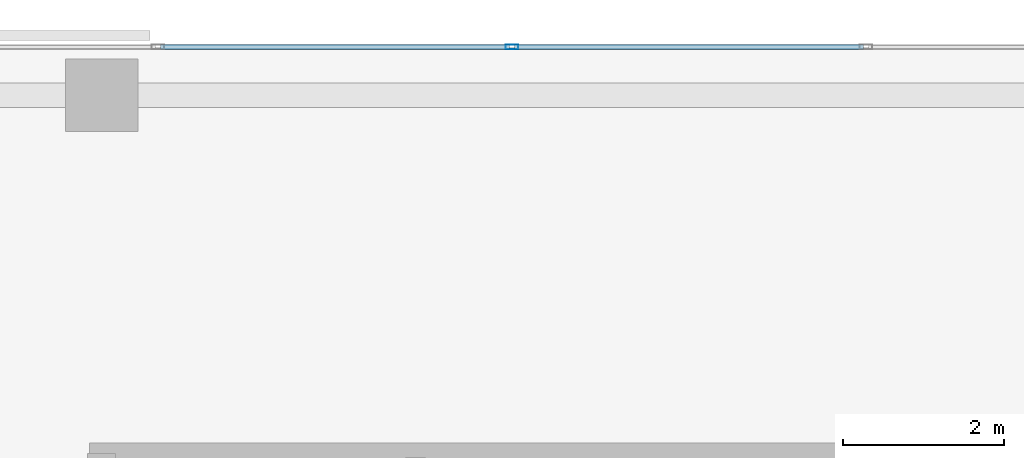
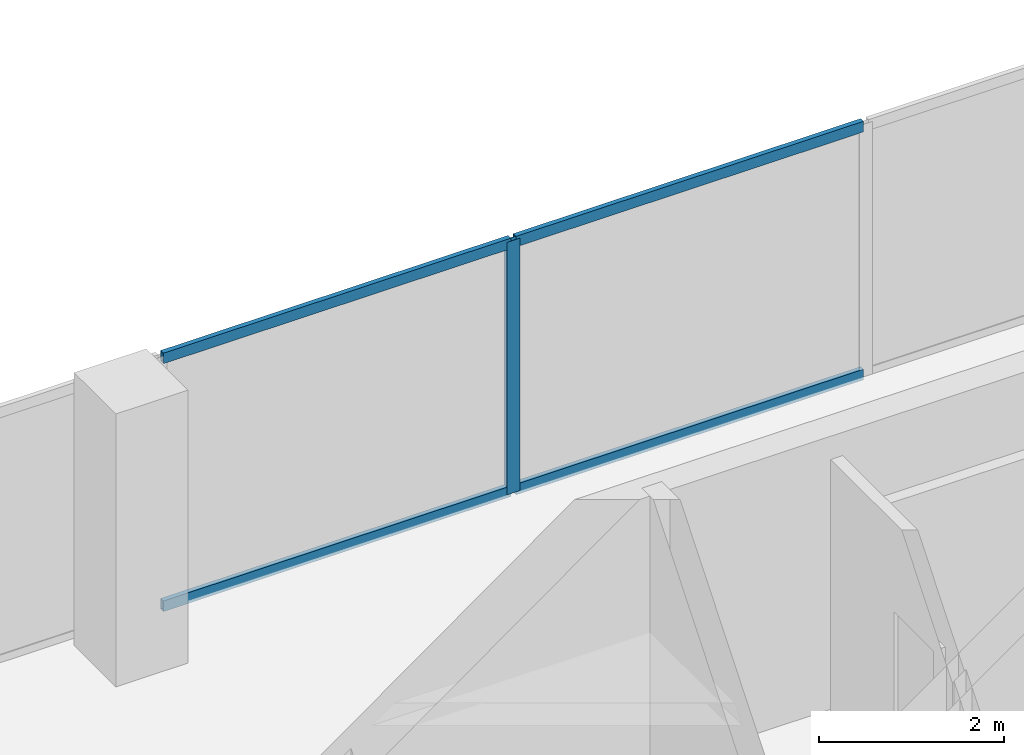
# One storey, part 20 of 33: 5 members, 1 element without a shape of its own.
"""IFC4 building model written with IfcOpenShell, lengths in metres."""

from ifc_helpers import new_model, si_unit, direction, frame, origin, origin_2d, place, context, subcontext, project, spatial, hollow_rectangle, extrude, material, layer, layer_set, material_profile, profile_set, type_object, element, aggregate, save


model = new_model("IFC4")

# Units and contexts
model_context = context("Model", 3, precision=1e-05, world=origin(), true_north=direction((0.0, 1.0)))
body_context = subcontext(model_context, "Body", "Model", "MODEL_VIEW")
ifc_project = project(units=[si_unit("LENGTHUNIT", "METRE"), si_unit("AREAUNIT", "SQUARE_METRE"), si_unit("VOLUMEUNIT", "CUBIC_METRE"), si_unit("PLANEANGLEUNIT", "RADIAN"), si_unit("MASSUNIT", "GRAM", prefix="KILO")], contexts=[model_context])

# Site, building, storey
site_placement = place(None, origin())
site = spatial("IfcSite", under=ifc_project, at=site_placement, CompositionType="ELEMENT")
building_placement = place(site_placement, origin())
building = spatial("IfcBuilding", under=site, at=building_placement, Name="Catumbela Crestline Tower", CompositionType="ELEMENT")
storey_placement = place(building_placement, frame((0.0, 0.0, 108.0)))
storey = spatial("IfcBuildingStorey", under=building, at=storey_placement, Name="L27", CompositionType="ELEMENT", Elevation=108.0)

# Curtain wall, members
ifc_material = material(Name="Aluminium alloy AW-6060-T66", Category="aluminium")
ifc_layer = layer(ifc_material, 0.18, Name="Aluminium alloy AW-6060-T66")
ifc_layer_set = layer_set([ifc_layer], Name="Aluminium alloy AW-6060-T66")
curtain_wall_type = type_object("IfcCurtainWallType", Name="CWU-Z2", PredefinedType="USERDEFINED", material=ifc_layer_set)
curtain_wall_placement = place(storey_placement, origin())
curtain_wall = element("IfcCurtainWall", 1, at=curtain_wall_placement, inside=storey, type_object=curtain_wall_type, Name="L27 Unitised Curtain Wall CW-L27-E7S1", ObjectType="UNITISED", PredefinedType="USERDEFINED")
ifc_material_profile_1 = material_profile(ifc_material, hollow_rectangle(XDim=0.06, YDim=0.16, WallThickness=0.004, at=origin_2d()), Name="ALU 160x60x4")
ifc_profile_set_1 = profile_set([ifc_material_profile_1], Name="Aluminium alloy AW-6060-T66")
member_type_1 = type_object("IfcMemberType", Name="MUL-160X60", PredefinedType="MULLION", material=ifc_profile_set_1)
member_1_placement = place(storey_placement, frame((21.1, 48.0, 0.0), z_axis=(0.0, 0.0, 1.0), x_axis=(0.0, -1.0, 0.0)))
member_1 = element("IfcMember", 2, at=member_1_placement, type_object=member_type_1, Name="CWU-Z2 mullion 7", PredefinedType="MULLION", context=body_context, shape_type="SweptSolid", body=[
    extrude(hollow_rectangle(XDim=0.06, YDim=0.16, WallThickness=0.004, at=origin_2d()), origin(), (0.0, 0.0, 1.0), 3.33),
])
ifc_material_profile_2 = material_profile(ifc_material, hollow_rectangle(XDim=0.06, YDim=0.14, WallThickness=0.004, at=origin_2d()), Name="ALU 140x60x4")
ifc_profile_set_2 = profile_set([ifc_material_profile_2], Name="Aluminium alloy AW-6060-T66")
member_type_2 = type_object("IfcMemberType", Name="TRN-140X60", PredefinedType="USERDEFINED", material=ifc_profile_set_2)
member_2_placement = place(storey_placement, frame((25.4675, 48.0, 0.03), z_axis=(-1.0, 0.0, 0.0), x_axis=(0.0, -1.0, 0.0)))
member_2 = element("IfcMember", 3, at=member_2_placement, type_object=member_type_2, Name="CWU-Z2 transom 6.1", ObjectType="TRANSOM", PredefinedType="USERDEFINED", context=body_context, shape_type="SweptSolid", body=[
    extrude(hollow_rectangle(XDim=0.06, YDim=0.14, WallThickness=0.004, at=origin_2d()), origin(), (0.0, 0.0, 1.0), 4.335),
])
member_3_placement = place(storey_placement, frame((25.4675, 48.0, 3.3), z_axis=(-1.0, 0.0, 0.0), x_axis=(0.0, -1.0, 0.0)))
member_3 = element("IfcMember", 4, at=member_3_placement, type_object=member_type_2, Name="CWU-Z2 transom 6.2", ObjectType="TRANSOM", PredefinedType="USERDEFINED", context=body_context, shape_type="SweptSolid", body=[
    extrude(hollow_rectangle(XDim=0.06, YDim=0.14, WallThickness=0.004, at=origin_2d()), origin(), (0.0, 0.0, 1.0), 4.335),
])
member_4_placement = place(storey_placement, frame((21.0675, 48.0, 0.03), z_axis=(-1.0, 0.0, 0.0), x_axis=(0.0, -1.0, 0.0)))
member_4 = element("IfcMember", 5, at=member_4_placement, type_object=member_type_2, Name="CWU-Z2 transom 7.1", ObjectType="TRANSOM", PredefinedType="USERDEFINED", context=body_context, shape_type="SweptSolid", body=[
    extrude(hollow_rectangle(XDim=0.06, YDim=0.14, WallThickness=0.004, at=origin_2d()), origin(), (0.0, 0.0, 1.0), 4.335),
])
member_5_placement = place(storey_placement, frame((21.0675, 48.0, 3.3), z_axis=(-1.0, 0.0, 0.0), x_axis=(0.0, -1.0, 0.0)))
member_5 = element("IfcMember", 6, at=member_5_placement, type_object=member_type_2, Name="CWU-Z2 transom 7.2", ObjectType="TRANSOM", PredefinedType="USERDEFINED", context=body_context, shape_type="SweptSolid", body=[
    extrude(hollow_rectangle(XDim=0.06, YDim=0.14, WallThickness=0.004, at=origin_2d()), origin(), (0.0, 0.0, 1.0), 4.335),
])
aggregate(curtain_wall, [member_1, member_2, member_3, member_4, member_5])

save(model, "model.ifc")
